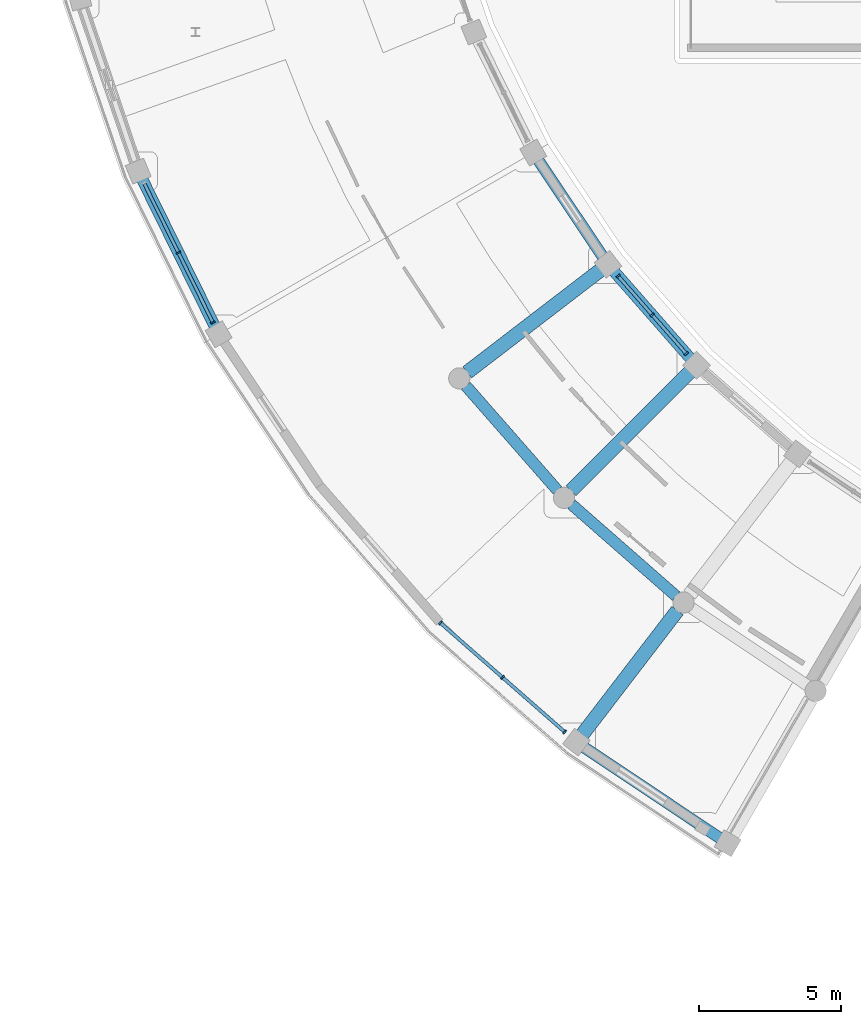
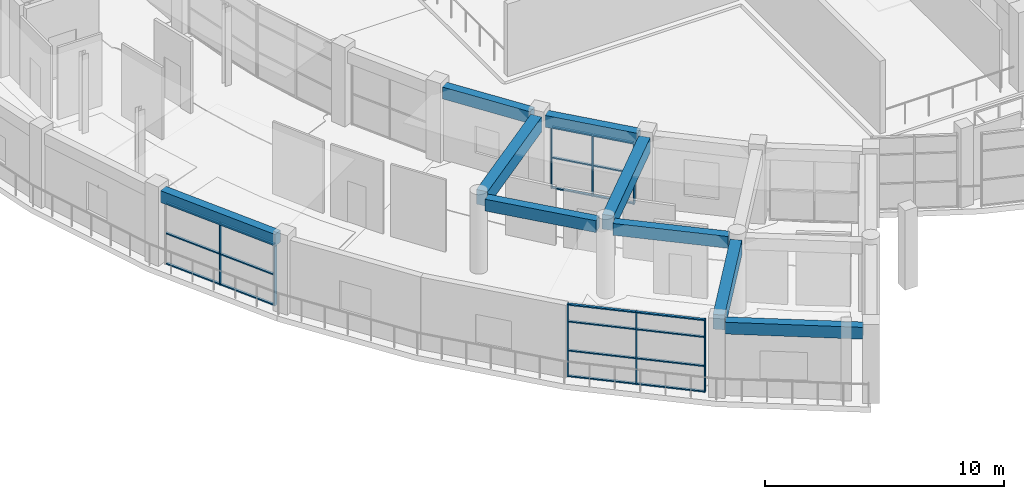
# One storey, part 15 of 87: 28 members, 9 beams, 3 elements without a shape of their own.
"""IFC4 building model written with IfcOpenShell, lengths in metres."""

from ifc_helpers import new_model, si_unit, direction, frame, origin, origin_2d, place, context, subcontext, project, spatial, rectangle, extrude, material, material_profile, profile_set, type_object, element, aggregate, save


model = new_model("IFC4")

# Units and contexts
model_context = context("Model", 3, precision=1e-05, world=origin(), true_north=direction((0.0, 1.0)))
body_context = subcontext(model_context, "Body", "Model", "MODEL_VIEW")
ifc_project = project(units=[si_unit("LENGTHUNIT", "METRE"), si_unit("AREAUNIT", "SQUARE_METRE"), si_unit("VOLUMEUNIT", "CUBIC_METRE"), si_unit("PLANEANGLEUNIT", "RADIAN"), si_unit("MASSUNIT", "GRAM", prefix="KILO")], contexts=[model_context])

# Site, building, storey
site_placement = place(None, origin())
site = spatial("IfcSite", under=ifc_project, at=site_placement, CompositionType="ELEMENT")
building_placement = place(site_placement, origin())
building = spatial("IfcBuilding", under=site, at=building_placement, Name="Saryqyr Civic Hall", CompositionType="ELEMENT")
storey_placement = place(building_placement, frame((0.0, 0.0, 5.10009765625)))
storey = spatial("IfcBuildingStorey", under=building, at=storey_placement, Name="L01", CompositionType="ELEMENT", Elevation=5.10009765625)

# Curtain wall, members
ifc_material_1 = material(Name="Anodised aluminium and triple low-E glass", Category="aluminium")
curtain_wall_type_1 = type_object("IfcCurtainWallType", Name="ENV-CW-STD-16", PredefinedType="NOTDEFINED", material=ifc_material_1)
curtain_wall_1_placement = place(storey_placement, origin())
curtain_wall_1 = element("IfcCurtainWall", 1, at=curtain_wall_1_placement, inside=storey, type_object=curtain_wall_type_1, Name="Curtain wall V4-CWO-L01-05", PredefinedType="NOTDEFINED")
ifc_material_2 = material(Name="Anodised aluminium", Category="aluminium")
ifc_material_profile_1 = material_profile(ifc_material_2, rectangle(XDim=0.06005859375, YDim=0.159912109375, at=origin_2d()), Name="ALU MULLION 60x160")
ifc_profile_set_1 = profile_set([ifc_material_profile_1], Name="Anodised aluminium")
member_type_1 = type_object("IfcMemberType", Name="ENV-CW-MUL-180", PredefinedType="MULLION", material=ifc_profile_set_1)
member_1_placement = place(storey_placement, frame((14.359130859375, 59.9169921875, 0.0), z_axis=(0.0, 0.0, 1.0), x_axis=(-0.442304219294, 0.896865083273, 0.0)))
member_1 = element("IfcMember", 2, at=member_1_placement, type_object=member_type_1, Name="CW-16 mullion 1", PredefinedType="MULLION", context=body_context, shape_type="SweptSolid", body=[
    extrude(rectangle(XDim=0.06005859375, YDim=0.159912109375, at=origin_2d()), origin(), (0.0, 0.0, 1.0), 3.14501953125),
])
member_2_placement = place(storey_placement, frame((13.1474609375, 62.374267578125, 0.0), z_axis=(0.0, 0.0, 1.0), x_axis=(-0.442304219294, 0.896865083273, 0.0)))
member_2 = element("IfcMember", 3, at=member_2_placement, type_object=member_type_1, Name="CW-16 mullion 2", PredefinedType="MULLION", context=body_context, shape_type="SweptSolid", body=[
    extrude(rectangle(XDim=0.06005859375, YDim=0.159912109375, at=origin_2d()), origin(), (0.0, 0.0, 1.0), 3.14501953125),
])

curtain_wall_type_2 = type_object("IfcCurtainWallType", Name="ENV-CW-STD-18", PredefinedType="NOTDEFINED", material=ifc_material_1)
curtain_wall_2_placement = place(storey_placement, origin())
curtain_wall_2 = element("IfcCurtainWall", 4, at=curtain_wall_2_placement, inside=storey, type_object=curtain_wall_type_2, Name="Curtain wall V4-CWI-L01-07", PredefinedType="NOTDEFINED")
member_3_placement = place(storey_placement, frame((28.642333984375, 61.55029296875, 0.0), z_axis=(0.0, 0.0, 1.0), x_axis=(0.659348526236, -0.751837429868, 0.0)))
member_3 = element("IfcMember", 5, at=member_3_placement, type_object=member_type_1, Name="CW-18 mullion 1", PredefinedType="MULLION", context=body_context, shape_type="SweptSolid", body=[
    extrude(rectangle(XDim=0.06005859375, YDim=0.159912109375, at=origin_2d()), origin(), (0.0, 0.0, 1.0), 3.14501953125),
])
member_4_placement = place(storey_placement, frame((29.841552734375, 60.182861328125, 0.0), z_axis=(0.0, 0.0, 1.0), x_axis=(0.659348526236, -0.751837429868, 0.0)))
member_4 = element("IfcMember", 6, at=member_4_placement, type_object=member_type_1, Name="CW-18 mullion 2", PredefinedType="MULLION", context=body_context, shape_type="SweptSolid", body=[
    extrude(rectangle(XDim=0.06005859375, YDim=0.159912109375, at=origin_2d()), origin(), (0.0, 0.0, 1.0), 3.14501953125),
])
member_5_placement = place(storey_placement, frame((31.041015625, 58.815185546875, 0.0), z_axis=(0.0, 0.0, 1.0), x_axis=(0.659348526236, -0.751837429868, 0.0)))
member_5 = element("IfcMember", 7, at=member_5_placement, type_object=member_type_1, Name="CW-18 mullion 3", PredefinedType="MULLION", context=body_context, shape_type="SweptSolid", body=[
    extrude(rectangle(XDim=0.06005859375, YDim=0.159912109375, at=origin_2d()), origin(), (0.0, 0.0, 1.0), 3.14501953125),
])

curtain_wall_type_3 = type_object("IfcCurtainWallType", Name="ENV-CW-STD-19", PredefinedType="NOTDEFINED", material=ifc_material_1)
curtain_wall_3_placement = place(storey_placement, origin())
curtain_wall_3 = element("IfcCurtainWall", 8, at=curtain_wall_3_placement, inside=storey, type_object=curtain_wall_type_3, Name="Curtain wall V4-CWO-L01-08", PredefinedType="NOTDEFINED")
member_6_placement = place(storey_placement, frame((26.758056640625, 45.487548828125, 0.0), z_axis=(0.0, 0.0, 1.0), x_axis=(-0.75183484727, 0.659351471092, 0.0)))
member_6 = element("IfcMember", 9, at=member_6_placement, type_object=member_type_1, Name="CW-19 mullion 1", PredefinedType="MULLION", context=body_context, shape_type="SweptSolid", body=[
    extrude(rectangle(XDim=0.06005859375, YDim=0.159912109375, at=origin_2d()), origin(), (0.0, 0.0, 1.0), 3.699951171875),
])
member_7_placement = place(storey_placement, frame((24.566162109375, 47.40966796875, 0.0), z_axis=(0.0, 0.0, 1.0), x_axis=(-0.75183484727, 0.659351471092, 0.0)))
member_7 = element("IfcMember", 10, at=member_7_placement, type_object=member_type_1, Name="CW-19 mullion 2", PredefinedType="MULLION", context=body_context, shape_type="SweptSolid", body=[
    extrude(rectangle(XDim=0.06005859375, YDim=0.159912109375, at=origin_2d()), origin(), (0.0, 0.0, 1.0), 3.699951171875),
])
member_8_placement = place(storey_placement, frame((22.374267578125, 49.33203125, 0.0), z_axis=(0.0, 0.0, 1.0), x_axis=(-0.75183484727, 0.659351471092, 0.0)))
member_8 = element("IfcMember", 11, at=member_8_placement, type_object=member_type_1, Name="CW-19 mullion 3", PredefinedType="MULLION", context=body_context, shape_type="SweptSolid", body=[
    extrude(rectangle(XDim=0.06005859375, YDim=0.159912109375, at=origin_2d()), origin(), (0.0, 0.0, 1.0), 3.699951171875),
])

# Member
ifc_material_profile_2 = material_profile(ifc_material_2, rectangle(XDim=0.1201171875, YDim=0.06005859375, at=origin_2d()), Name="ALU TRANSOM 120x60")
ifc_profile_set_2 = profile_set([ifc_material_profile_2], Name="Anodised aluminium")
member_type_2 = type_object("IfcMemberType", Name="ENV-CW-TRN-150", PredefinedType="USERDEFINED", material=ifc_profile_set_2)
member_9_placement = place(storey_placement, frame((14.345947265625, 59.94384765625, 0.02978515625), z_axis=(-0.442287465054, 0.896873345716, 0.0), x_axis=(-0.896873345716, -0.442287465054, 0.0)))
member_9 = element("IfcMember", 12, at=member_9_placement, type_object=member_type_2, Name="CW-16 transom 1.1", ObjectType="TRANSOM", PredefinedType="USERDEFINED", context=body_context, shape_type="SweptSolid", body=[
    extrude(rectangle(XDim=0.1201171875, YDim=0.06005859375, at=origin_2d()), origin(), (0.0, 0.0, 1.0), 2.679931640625),
])

member_10_placement = place(storey_placement, frame((14.345947265625, 59.94384765625, 1.572021484375), z_axis=(-0.442287465054, 0.896873345716, 0.0), x_axis=(-0.896873345716, -0.442287465054, 0.0)))
member_10 = element("IfcMember", 13, at=member_10_placement, type_object=member_type_2, Name="CW-16 transom 1.2", ObjectType="TRANSOM", PredefinedType="USERDEFINED", context=body_context, shape_type="SweptSolid", body=[
    extrude(rectangle(XDim=0.1201171875, YDim=0.06005859375, at=origin_2d()), origin(), (0.0, 0.0, 1.0), 2.679931640625),
])

member_11_placement = place(storey_placement, frame((14.345947265625, 59.94384765625, 3.114990234375), z_axis=(-0.442287465054, 0.896873345716, 0.0), x_axis=(-0.896873345716, -0.442287465054, 0.0)))
member_11 = element("IfcMember", 14, at=member_11_placement, type_object=member_type_2, Name="CW-16 transom 1.3", ObjectType="TRANSOM", PredefinedType="USERDEFINED", context=body_context, shape_type="SweptSolid", body=[
    extrude(rectangle(XDim=0.1201171875, YDim=0.06005859375, at=origin_2d()), origin(), (0.0, 0.0, 1.0), 2.679931640625),
])

member_12_placement = place(storey_placement, frame((13.134033203125, 62.401123046875, 0.02978515625), z_axis=(-0.442287465054, 0.896873345716, 0.0), x_axis=(-0.896873345716, -0.442287465054, 0.0)))
member_12 = element("IfcMember", 15, at=member_12_placement, type_object=member_type_2, Name="CW-16 transom 2.1", ObjectType="TRANSOM", PredefinedType="USERDEFINED", context=body_context, shape_type="SweptSolid", body=[
    extrude(rectangle(XDim=0.1201171875, YDim=0.06005859375, at=origin_2d()), origin(), (0.0, 0.0, 1.0), 2.679931640625),
])

member_13_placement = place(storey_placement, frame((13.134033203125, 62.401123046875, 1.572021484375), z_axis=(-0.442287465054, 0.896873345716, 0.0), x_axis=(-0.896873345716, -0.442287465054, 0.0)))
member_13 = element("IfcMember", 16, at=member_13_placement, type_object=member_type_2, Name="CW-16 transom 2.2", ObjectType="TRANSOM", PredefinedType="USERDEFINED", context=body_context, shape_type="SweptSolid", body=[
    extrude(rectangle(XDim=0.1201171875, YDim=0.06005859375, at=origin_2d()), origin(), (0.0, 0.0, 1.0), 2.679931640625),
])

member_14_placement = place(storey_placement, frame((13.134033203125, 62.401123046875, 3.114990234375), z_axis=(-0.442287465054, 0.896873345716, 0.0), x_axis=(-0.896873345716, -0.442287465054, 0.0)))
member_14 = element("IfcMember", 17, at=member_14_placement, type_object=member_type_2, Name="CW-16 transom 2.3", ObjectType="TRANSOM", PredefinedType="USERDEFINED", context=body_context, shape_type="SweptSolid", body=[
    extrude(rectangle(XDim=0.1201171875, YDim=0.06005859375, at=origin_2d()), origin(), (0.0, 0.0, 1.0), 2.679931640625),
])

aggregate(curtain_wall_1, [member_1, member_2, member_9, member_10, member_11, member_12, member_13, member_14])

member_15_placement = place(storey_placement, frame((28.662109375, 61.527587890625, 0.02978515625), z_axis=(0.659368999856, -0.751819474362, 0.0), x_axis=(0.751819474362, 0.659368999856, 0.0)))
member_15 = element("IfcMember", 18, at=member_15_placement, type_object=member_type_2, Name="CW-18 transom 1.1", ObjectType="TRANSOM", PredefinedType="USERDEFINED", context=body_context, shape_type="SweptSolid", body=[
    extrude(rectangle(XDim=0.1201171875, YDim=0.06005859375, at=origin_2d()), origin(), (0.0, 0.0, 1.0), 1.7587890625),
])

member_16_placement = place(storey_placement, frame((28.662109375, 61.527587890625, 1.572021484375), z_axis=(0.659368999856, -0.751819474362, 0.0), x_axis=(0.751819474362, 0.659368999856, 0.0)))
member_16 = element("IfcMember", 19, at=member_16_placement, type_object=member_type_2, Name="CW-18 transom 1.2", ObjectType="TRANSOM", PredefinedType="USERDEFINED", context=body_context, shape_type="SweptSolid", body=[
    extrude(rectangle(XDim=0.1201171875, YDim=0.06005859375, at=origin_2d()), origin(), (0.0, 0.0, 1.0), 1.7587890625),
])

member_17_placement = place(storey_placement, frame((28.662109375, 61.527587890625, 3.114990234375), z_axis=(0.659368999856, -0.751819474362, 0.0), x_axis=(0.751819474362, 0.659368999856, 0.0)))
member_17 = element("IfcMember", 20, at=member_17_placement, type_object=member_type_2, Name="CW-18 transom 1.3", ObjectType="TRANSOM", PredefinedType="USERDEFINED", context=body_context, shape_type="SweptSolid", body=[
    extrude(rectangle(XDim=0.1201171875, YDim=0.06005859375, at=origin_2d()), origin(), (0.0, 0.0, 1.0), 1.7587890625),
])

member_18_placement = place(storey_placement, frame((29.861328125, 60.16015625, 0.02978515625), z_axis=(0.659447451569, -0.751750662533, 0.0), x_axis=(0.751750662533, 0.659447451569, 0.0)))
member_18 = element("IfcMember", 21, at=member_18_placement, type_object=member_type_2, Name="CW-18 transom 2.1", ObjectType="TRANSOM", PredefinedType="USERDEFINED", context=body_context, shape_type="SweptSolid", body=[
    extrude(rectangle(XDim=0.1201171875, YDim=0.06005859375, at=origin_2d()), origin(), (0.0, 0.0, 1.0), 1.759033203125),
])

member_19_placement = place(storey_placement, frame((29.861328125, 60.16015625, 1.572021484375), z_axis=(0.659447451569, -0.751750662533, 0.0), x_axis=(0.751750662533, 0.659447451569, 0.0)))
member_19 = element("IfcMember", 22, at=member_19_placement, type_object=member_type_2, Name="CW-18 transom 2.2", ObjectType="TRANSOM", PredefinedType="USERDEFINED", context=body_context, shape_type="SweptSolid", body=[
    extrude(rectangle(XDim=0.1201171875, YDim=0.06005859375, at=origin_2d()), origin(), (0.0, 0.0, 1.0), 1.759033203125),
])

member_20_placement = place(storey_placement, frame((29.861328125, 60.16015625, 3.114990234375), z_axis=(0.659447451569, -0.751750662533, 0.0), x_axis=(0.751750662533, 0.659447451569, 0.0)))
member_20 = element("IfcMember", 23, at=member_20_placement, type_object=member_type_2, Name="CW-18 transom 2.3", ObjectType="TRANSOM", PredefinedType="USERDEFINED", context=body_context, shape_type="SweptSolid", body=[
    extrude(rectangle(XDim=0.1201171875, YDim=0.06005859375, at=origin_2d()), origin(), (0.0, 0.0, 1.0), 1.759033203125),
])

aggregate(curtain_wall_2, [member_3, member_4, member_5, member_15, member_16, member_17, member_18, member_19, member_20])

member_21_placement = place(storey_placement, frame((26.735595703125, 45.50732421875, 0.02978515625), z_axis=(-0.751850575343, 0.659333536503, 0.0), x_axis=(-0.659333536503, -0.751850575343, 0.0)))
member_21 = element("IfcMember", 24, at=member_21_placement, type_object=member_type_2, Name="CW-19 transom 1.1", ObjectType="TRANSOM", PredefinedType="USERDEFINED", context=body_context, shape_type="SweptSolid", body=[
    extrude(rectangle(XDim=0.1201171875, YDim=0.06005859375, at=origin_2d()), origin(), (0.0, 0.0, 1.0), 2.855224609375),
])

member_22_placement = place(storey_placement, frame((26.735595703125, 45.50732421875, 1.331787109375), z_axis=(-0.751850575343, 0.659333536503, 0.0), x_axis=(-0.659333536503, -0.751850575343, 0.0)))
member_22 = element("IfcMember", 25, at=member_22_placement, type_object=member_type_2, Name="CW-19 transom 1.2", ObjectType="TRANSOM", PredefinedType="USERDEFINED", context=body_context, shape_type="SweptSolid", body=[
    extrude(rectangle(XDim=0.1201171875, YDim=0.06005859375, at=origin_2d()), origin(), (0.0, 0.0, 1.0), 2.855224609375),
])

member_23_placement = place(storey_placement, frame((26.735595703125, 45.50732421875, 2.81201171875), z_axis=(-0.751850575343, 0.659333536503, 0.0), x_axis=(-0.659333536503, -0.751850575343, 0.0)))
member_23 = element("IfcMember", 26, at=member_23_placement, type_object=member_type_2, Name="CW-19 transom 1.3", ObjectType="TRANSOM", PredefinedType="USERDEFINED", context=body_context, shape_type="SweptSolid", body=[
    extrude(rectangle(XDim=0.1201171875, YDim=0.06005859375, at=origin_2d()), origin(), (0.0, 0.0, 1.0), 2.855224609375),
])

member_24_placement = place(storey_placement, frame((26.735595703125, 45.50732421875, 3.669921875), z_axis=(-0.751850575343, 0.659333536503, 0.0), x_axis=(-0.659333536503, -0.751850575343, 0.0)))
member_24 = element("IfcMember", 27, at=member_24_placement, type_object=member_type_2, Name="CW-19 transom 1.4", ObjectType="TRANSOM", PredefinedType="USERDEFINED", context=body_context, shape_type="SweptSolid", body=[
    extrude(rectangle(XDim=0.1201171875, YDim=0.06005859375, at=origin_2d()), origin(), (0.0, 0.0, 1.0), 2.855224609375),
])

member_25_placement = place(storey_placement, frame((24.543701171875, 47.429443359375, 0.02978515625), z_axis=(-0.751808189326, 0.659381866949, 0.0), x_axis=(-0.659381866949, -0.751808189326, 0.0)))
member_25 = element("IfcMember", 28, at=member_25_placement, type_object=member_type_2, Name="CW-19 transom 2.1", ObjectType="TRANSOM", PredefinedType="USERDEFINED", context=body_context, shape_type="SweptSolid", body=[
    extrude(rectangle(XDim=0.1201171875, YDim=0.06005859375, at=origin_2d()), origin(), (0.0, 0.0, 1.0), 2.85546875),
])

member_26_placement = place(storey_placement, frame((24.543701171875, 47.429443359375, 1.331787109375), z_axis=(-0.751808189326, 0.659381866949, 0.0), x_axis=(-0.659381866949, -0.751808189326, 0.0)))
member_26 = element("IfcMember", 29, at=member_26_placement, type_object=member_type_2, Name="CW-19 transom 2.2", ObjectType="TRANSOM", PredefinedType="USERDEFINED", context=body_context, shape_type="SweptSolid", body=[
    extrude(rectangle(XDim=0.1201171875, YDim=0.06005859375, at=origin_2d()), origin(), (0.0, 0.0, 1.0), 2.85546875),
])

member_27_placement = place(storey_placement, frame((24.543701171875, 47.429443359375, 2.81201171875), z_axis=(-0.751808189326, 0.659381866949, 0.0), x_axis=(-0.659381866949, -0.751808189326, 0.0)))
member_27 = element("IfcMember", 30, at=member_27_placement, type_object=member_type_2, Name="CW-19 transom 2.3", ObjectType="TRANSOM", PredefinedType="USERDEFINED", context=body_context, shape_type="SweptSolid", body=[
    extrude(rectangle(XDim=0.1201171875, YDim=0.06005859375, at=origin_2d()), origin(), (0.0, 0.0, 1.0), 2.85546875),
])

member_28_placement = place(storey_placement, frame((24.543701171875, 47.429443359375, 3.669921875), z_axis=(-0.751808189326, 0.659381866949, 0.0), x_axis=(-0.659381866949, -0.751808189326, 0.0)))
member_28 = element("IfcMember", 31, at=member_28_placement, type_object=member_type_2, Name="CW-19 transom 2.4", ObjectType="TRANSOM", PredefinedType="USERDEFINED", context=body_context, shape_type="SweptSolid", body=[
    extrude(rectangle(XDim=0.1201171875, YDim=0.06005859375, at=origin_2d()), origin(), (0.0, 0.0, 1.0), 2.85546875),
])

aggregate(curtain_wall_3, [member_6, member_7, member_8, member_21, member_22, member_23, member_24, member_25, member_26, member_27, member_28])

# Beams
ifc_material_3 = material(Name="Concrete C35/45", Category="concrete")
ifc_material_profile_3 = material_profile(ifc_material_3, rectangle(XDim=0.39990234375, YDim=0.60009765625, at=origin_2d()), Name="RC 400x600")
ifc_profile_set_3 = profile_set([ifc_material_profile_3], Name="Concrete C35/45")
beam_type_1 = type_object("IfcBeamType", Name="STR-BM-RC400x600", PredefinedType="BEAM", material=ifc_profile_set_3)
for number, where, z_axis, x_axis, name in (
    (32, (23.275390625, 57.681884765625, 3.469970703125), (0.659287582, -0.751890872547, 0.0), (0.751890872547, 0.659287582, 0.0), "Beam V4-CBM-MID07-L01"),
    (33, (26.998779296875, 53.5048828125, 3.469970703125), (0.751890872547, -0.659287582, 0.0), (0.659287582, 0.751890872547, 0.0), "Beam V4-CBM-MID08-L01"),
):
    element("IfcBeam", number, at=place(storey_placement, frame(where, z_axis=z_axis, x_axis=x_axis)), inside=storey, type_object=beam_type_1, Name=name, PredefinedType="BEAM", context=body_context, shape_type="SweptSolid", body=[
        extrude(rectangle(XDim=0.39990234375, YDim=0.60009765625, at=origin_2d()), origin(), (0.0, 0.0, 1.0), 4.8984375),
    ])
ifc_material_profile_4 = material_profile(ifc_material_3, rectangle(XDim=0.39990234375, YDim=0.60009765625, at=origin_2d()), Name="RC 400x600")
ifc_profile_set_4 = profile_set([ifc_material_profile_4], Name="Concrete C35/45")
beam_type_2 = type_object("IfcBeamType", Name="STR-BM-RC400x600-EXT", PredefinedType="BEAM", material=ifc_profile_set_4)
beam_1_placement = place(storey_placement, frame((11.87353515625, 64.95703125, 3.469970703125), z_axis=(0.442323777746, -0.896855437426, 0.0), x_axis=(0.896855437426, 0.442323777746, 0.0)))
element("IfcBeam", 34, at=beam_1_placement, inside=storey, type_object=beam_type_2, Name="Beam V4-CBM-OUT05-L01", PredefinedType="BEAM", context=body_context, shape_type="SweptSolid", body=[
    extrude(rectangle(XDim=0.39990234375, YDim=0.60009765625, at=origin_2d()), origin(), (0.0, 0.0, 1.0), 5.759521484375),
])
beam_2_placement = place(storey_placement, frame((25.83056640625, 65.6298828125, 3.469970703125), z_axis=(0.555527365717, -0.83149825372, 0.0), x_axis=(0.83149825372, 0.555527365717, 0.0)))
element("IfcBeam", 35, at=beam_2_placement, inside=storey, type_object=beam_type_2, Name="Beam V4-CBM-IN06-L01", PredefinedType="BEAM", context=body_context, shape_type="SweptSolid", body=[
    extrude(rectangle(XDim=0.39990234375, YDim=0.60009765625, at=origin_2d()), origin(), (0.0, 0.0, 1.0), 4.08544921875),
])
beam_3_placement = place(storey_placement, frame((28.494873046875, 61.718505859375, 3.469970703125), z_axis=(0.659337678006, -0.751846943441, 0.0), x_axis=(0.751846943441, 0.659337678006, 0.0)))
element("IfcBeam", 36, at=beam_3_placement, inside=storey, type_object=beam_type_2, Name="Beam V4-CBM-IN07-L01", PredefinedType="BEAM", context=body_context, shape_type="SweptSolid", body=[
    extrude(rectangle(XDim=0.39990234375, YDim=0.60009765625, at=origin_2d()), origin(), (0.0, 0.0, 1.0), 4.085205078125),
])
beam_4_placement = place(storey_placement, frame((27.44091796875, 44.945068359375, 3.469970703125), z_axis=(0.831475956329, -0.555560738396, 0.0), x_axis=(0.555560738396, 0.831475956329, 0.0)))
element("IfcBeam", 37, at=beam_4_placement, inside=storey, type_object=beam_type_2, Name="Beam V4-CBM-OUT09-L01", PredefinedType="BEAM", context=body_context, shape_type="SweptSolid", body=[
    extrude(rectangle(XDim=0.39990234375, YDim=0.60009765625, at=origin_2d()), origin(), (0.0, 0.0, 1.0), 5.759521484375),
])
ifc_material_4 = material(Name="Concrete C40/50", Category="concrete")
ifc_material_profile_5 = material_profile(ifc_material_4, rectangle(XDim=0.5, YDim=0.75, at=origin_2d()), Name="RC 500x750")
ifc_profile_set_5 = profile_set([ifc_material_profile_5], Name="Concrete C40/50")
beam_type_3 = type_object("IfcBeamType", Name="STR-BM-RC500x750", PredefinedType="BEAM", material=ifc_profile_set_5)
for number, where, z_axis, x_axis, name in (
    (38, (28.022705078125, 61.764892578125, 3.39501953125), (-0.793360236101, -0.608752442109, 0.0), (0.608752442109, -0.793360236101, 0.0), "Beam V4-RBM-A07-L01"),
    (39, (31.1728515625, 58.1728515625, 3.39501953125), (-0.707106781187, -0.707106781187, 0.0), (0.707106781187, -0.707106781187, 0.0), "Beam V4-RBM-A08-L01"),
):
    element("IfcBeam", number, at=place(storey_placement, frame(where, z_axis=z_axis, x_axis=x_axis)), inside=storey, type_object=beam_type_3, Name=name, PredefinedType="BEAM", context=body_context, shape_type="SweptSolid", body=[
        extrude(rectangle(XDim=0.5, YDim=0.75, at=origin_2d()), origin(), (0.0, 0.0, 1.0), 5.9248046875),
    ])
beam_5_placement = place(storey_placement, frame((30.73193359375, 49.766845703125, 3.39501953125), z_axis=(-0.608772866893, -0.793344563563, 0.0), x_axis=(0.793344563563, -0.608772866893, 0.0)))
element("IfcBeam", 40, at=beam_5_placement, inside=storey, type_object=beam_type_3, Name="Beam V4-RBM-B09-L01", PredefinedType="BEAM", context=body_context, shape_type="SweptSolid", body=[
    extrude(rectangle(XDim=0.5, YDim=0.75, at=origin_2d()), origin(), (0.0, 0.0, 1.0), 5.525146484375),
])

save(model, "model.ifc")
